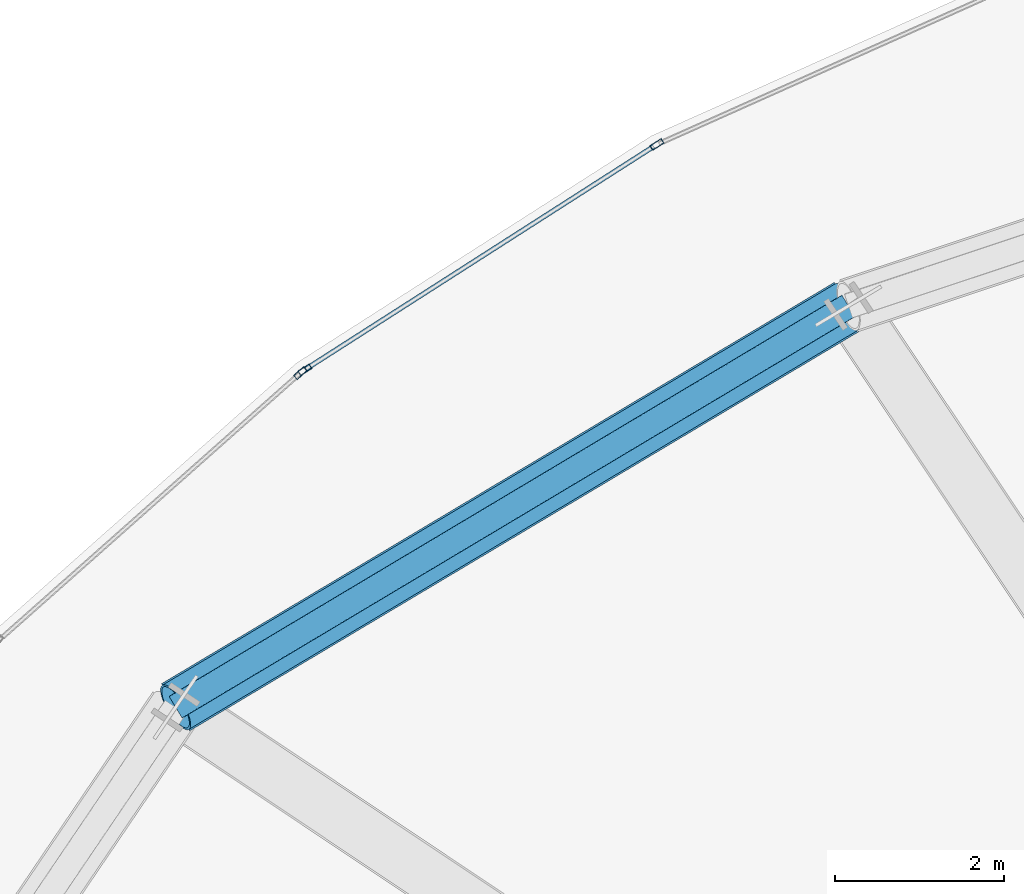
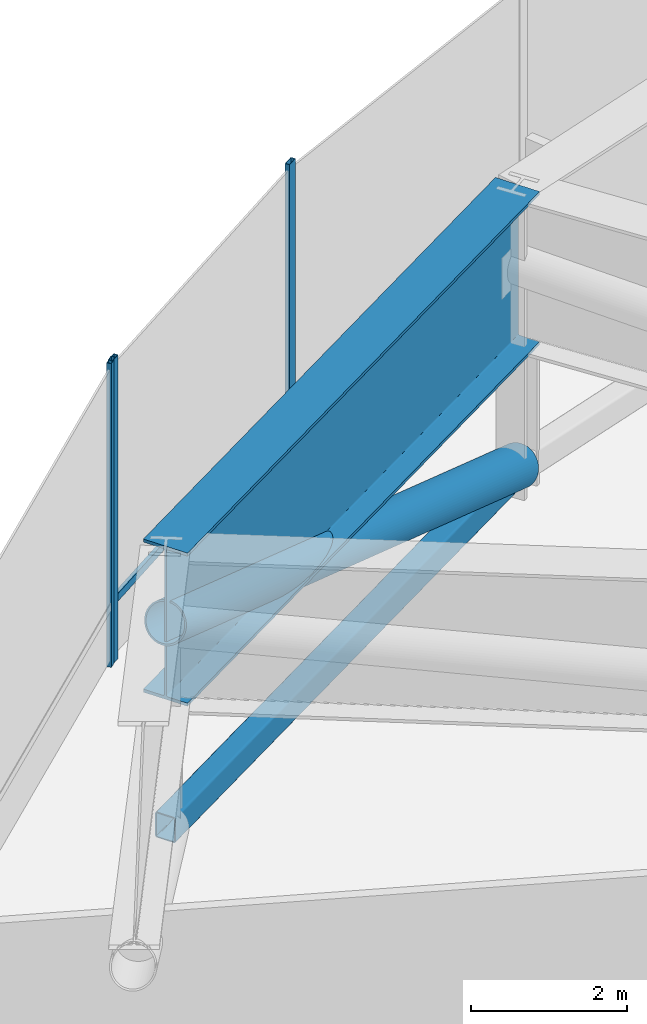
# One storey, part 18 of 33: 6 members, 1 beam, 2 elements without a shape of their own.
"""IFC4 building model written with IfcOpenShell, lengths in metres."""

from ifc_helpers import new_model, si_unit, direction, frame, origin, origin_2d, place, context, subcontext, project, spatial, hollow_rectangle, hollow_circle, i_section, extrude, source, transform, mapped, material, layer, layer_set, material_profile, profile_set, type_object, element, aggregate, save


model = new_model("IFC4")

# Units and contexts
model_context = context("Model", 3, precision=1e-05, world=origin(), true_north=direction((0.0, 1.0)))
body_context = subcontext(model_context, "Body", "Model", "MODEL_VIEW")
ifc_project = project(units=[si_unit("LENGTHUNIT", "METRE"), si_unit("AREAUNIT", "SQUARE_METRE"), si_unit("VOLUMEUNIT", "CUBIC_METRE"), si_unit("PLANEANGLEUNIT", "RADIAN"), si_unit("MASSUNIT", "GRAM", prefix="KILO"), si_unit("THERMODYNAMICTEMPERATUREUNIT", "KELVIN")], contexts=[model_context])

# Site, building, storey
site_placement = place(None, origin())
site = spatial("IfcSite", under=ifc_project, at=site_placement, CompositionType="ELEMENT")
building_placement = place(site_placement, origin())
building = spatial("IfcBuilding", under=site, at=building_placement, Name="Kethvar Cultural Tower", CompositionType="ELEMENT")
storey_placement = place(building_placement, frame((0.0, 0.0, 80.39990234375)))
storey = spatial("IfcBuildingStorey", under=building, at=storey_placement, Name="L19", CompositionType="ELEMENT", Elevation=80.39990234375)

# Beam
ifc_material_1 = material(Name="Steel S460M", Category="steel")
ifc_material_profile_1 = material_profile(ifc_material_1, i_section(OverallWidth=0.64990234375, OverallDepth=2.39990234375, WebThickness=0.030029296875, FlangeThickness=0.048095703125, FilletRadius=0.02197265625, at=origin_2d()), Name="Steel S460M — PG2400x650x48x30")
ifc_profile_set_1 = profile_set([ifc_material_profile_1], Name="Steel S460M — PG2400x650x48x30")
beam_type = type_object("IfcBeamType", Name="BM-TR2400", PredefinedType="BEAM", material=ifc_profile_set_1)
shared_shape_1 = source(origin(), body_context, "Body", "SweptSolid", [
    extrude(i_section(OverallWidth=0.64990234375, OverallDepth=2.39990234375, WebThickness=0.030029296875, FlangeThickness=0.048095703125, FilletRadius=0.02197265625, at=origin_2d()), origin(), (0.0, 0.0, 1.0), 9.270263671875),
])
beam_placement = place(storey_placement, frame((34.64599609375, 45.98974609375, 3.55810546875), z_axis=(-0.858814626354, -0.51228647997, 0.0), x_axis=(0.51228647997, -0.858814626354, 0.0)))
element("IfcBeam", 1, at=beam_placement, inside=storey, type_object=beam_type, Name="L19 Ring Belt Girder BG-06", PredefinedType="BEAM", context=body_context, shape_type="MappedRepresentation", body=[
    mapped(shared_shape_1, transform((0.0, 0.0, 0.0), scale=1.0)),
])

# Members
ifc_material_profile_2 = material_profile(ifc_material_1, hollow_rectangle(XDim=0.300048828125, YDim=0.39990234375, WallThickness=0.01611328125, InnerFilletRadius=0.01611328125, OuterFilletRadius=0.031982421875, at=origin_2d()), Name="Steel S460M — RHS400x300x16")
ifc_profile_set_2 = profile_set([ifc_material_profile_2], Name="Steel S460M — RHS400x300x16")
member_type_1 = type_object("IfcMemberType", Name="MB-CHD-400", PredefinedType="CHORD", material=ifc_profile_set_2)
shared_shape_2 = source(origin(), body_context, "Body", "SweptSolid", [
    extrude(hollow_rectangle(XDim=0.300048828125, YDim=0.39990234375, WallThickness=0.01611328125, InnerFilletRadius=0.01611328125, OuterFilletRadius=0.031982421875, at=origin_2d()), origin(), (0.0, 0.0, 1.0), 9.270263671875),
])
member_1_placement = place(storey_placement, frame((34.64599609375, 45.98974609375, 0.35009765625), z_axis=(-0.858814626354, -0.51228647997, 0.0), x_axis=(0.51228647997, -0.858814626354, 0.0)))
element("IfcMember", 2, at=member_1_placement, inside=storey, type_object=member_type_1, Name="L19 Ring Belt Bottom Chord BC-06", PredefinedType="CHORD", context=body_context, shape_type="MappedRepresentation", body=[
    mapped(shared_shape_2, transform((0.0, 0.0, 0.0), scale=1.0)),
])
ifc_material_profile_3 = material_profile(ifc_material_1, hollow_circle(Radius=0.304931640625, WallThickness=0.02490234375, at=origin_2d()), Name="Steel S460M — CHS610x25")
ifc_profile_set_3 = profile_set([ifc_material_profile_3], Name="Steel S460M — CHS610x25")
member_type_2 = type_object("IfcMemberType", Name="MB-OUT-610", PredefinedType="BRACE", material=ifc_profile_set_3)
shared_shape_3 = source(origin(), body_context, "Body", "SweptSolid", [
    extrude(hollow_circle(Radius=0.304931640625, WallThickness=0.02490234375, at=origin_2d()), origin(), (0.0, 0.0, 1.0), 9.8095703125),
])
member_2_placement = place(storey_placement, frame((34.64599609375, 45.98974609375, 0.35009765625), z_axis=(-0.811592882298, -0.484118514151, 0.327026386795), x_axis=(0.51228647997, -0.858814626354, 0.0)))
element("IfcMember", 3, at=member_2_placement, inside=storey, type_object=member_type_2, Name="L19 Ring Belt Diagonal BD-06", PredefinedType="BRACE", context=body_context, shape_type="MappedRepresentation", body=[
    mapped(shared_shape_3, transform((0.0, 0.0, 0.0), scale=1.0)),
])

# Curtain wall, members
ifc_material_2 = material(Name="Aluminium 6063-T6", Category="aluminium")
ifc_layer = layer(ifc_material_2, 0.179931640625, Name="Aluminium 6063-T6", Category="aluminium")
ifc_layer_set = layer_set([ifc_layer], Name="Aluminium 6063-T6 (180 mm)")
curtain_wall_type = type_object("IfcCurtainWallType", Name="CW-SYS-02-Z1", PredefinedType="NOTDEFINED", material=ifc_layer_set)
curtain_wall_1_placement = place(storey_placement, origin())
curtain_wall_1 = element("IfcCurtainWall", 4, at=curtain_wall_1_placement, inside=storey, type_object=curtain_wall_type, Name="L19 Curtain Wall Run 02", PredefinedType="NOTDEFINED")
ifc_material_profile_4 = material_profile(ifc_material_2, hollow_rectangle(XDim=0.06494140625, YDim=0.159912109375, WallThickness=0.0048828125, at=origin_2d()), Name="Aluminium 6063-T6 — RHS160x65x5")
ifc_profile_set_4 = profile_set([ifc_material_profile_4], Name="Aluminium 6063-T6 — RHS160x65x5")
member_type_3 = type_object("IfcMemberType", Name="CW-SYS-02-Z1-MUL", PredefinedType="MULLION", material=ifc_profile_set_4)
shared_shape_4 = source(origin(), body_context, "Body", "SweptSolid", [
    extrude(hollow_rectangle(XDim=0.06494140625, YDim=0.159912109375, WallThickness=0.0048828125, at=origin_2d()), origin(), (0.0, 0.0, 1.0), 4.760009765625),
])
member_3_placement = place(storey_placement, frame((32.37939453125, 47.9013671875, 0.0), z_axis=(0.0, 0.0, 1.0), x_axis=(0.539064823539, -0.842264279204, 0.0)))
member_3 = element("IfcMember", 5, at=member_3_placement, type_object=member_type_3, Name="CW-L19-R02 Mullion 6", PredefinedType="MULLION", context=body_context, shape_type="MappedRepresentation", body=[
    mapped(shared_shape_4, transform((0.0, 0.0, 0.0), scale=1.0)),
])
member_4_placement = place(storey_placement, frame((28.213623046875, 45.235107421875, 0.0), z_axis=(0.0, 0.0, 1.0), x_axis=(0.539064823539, -0.842264279204, 0.0)))
member_4 = element("IfcMember", 6, at=member_4_placement, type_object=member_type_3, Name="CW-L19-R02 Mullion 7", PredefinedType="MULLION", context=body_context, shape_type="MappedRepresentation", body=[
    mapped(shared_shape_4, transform((0.0, 0.0, 0.0), scale=1.0)),
])

# Curtain wall, member
curtain_wall_2_placement = place(storey_placement, origin())
curtain_wall_2 = element("IfcCurtainWall", 7, at=curtain_wall_2_placement, inside=storey, type_object=curtain_wall_type, Name="L19 Curtain Wall Run 03", PredefinedType="NOTDEFINED")
member_5_placement = place(storey_placement, frame((28.161376953125, 45.19580078125, 0.0), z_axis=(0.0, 0.0, 1.0), x_axis=(0.663338688694, -0.748319306233, 0.0)))
member_5 = element("IfcMember", 8, at=member_5_placement, type_object=member_type_3, Name="CW-L19-R03 Mullion 1", PredefinedType="MULLION", context=body_context, shape_type="MappedRepresentation", body=[
    mapped(shared_shape_4, transform((0.0, 0.0, 0.0), scale=1.0)),
])
aggregate(curtain_wall_2, [member_5])

# Member
ifc_material_profile_5 = material_profile(ifc_material_2, hollow_rectangle(XDim=0.054931640625, YDim=0.1201171875, WallThickness=0.00390625, at=origin_2d()), Name="Aluminium 6063-T6 — RHS120x55x4")
ifc_profile_set_5 = profile_set([ifc_material_profile_5], Name="Aluminium 6063-T6 — RHS120x55x4")
member_type_4 = type_object("IfcMemberType", Name="CW-SYS-02-Z1-TRN", PredefinedType="USERDEFINED", material=ifc_profile_set_5)
shared_shape_5 = source(origin(), body_context, "Body", "SweptSolid", [
    extrude(hollow_rectangle(XDim=0.054931640625, YDim=0.1201171875, WallThickness=0.00390625, at=origin_2d()), origin(), (0.0, 0.0, 1.0), 4.894775390625),
])
member_6_placement = place(storey_placement, frame((32.340087890625, 47.876220703125, 0.9501953125), z_axis=(-0.8422867996, -0.539029634824, 0.0), x_axis=(0.539029634824, -0.8422867996, 0.0)))
member_6 = element("IfcMember", 9, at=member_6_placement, type_object=member_type_4, Name="CW-L19-R02 Transom 6", ObjectType="TRANSOM", PredefinedType="USERDEFINED", context=body_context, shape_type="MappedRepresentation", body=[
    mapped(shared_shape_5, transform((0.0, 0.0, 0.0), scale=1.0)),
])

aggregate(curtain_wall_1, [member_3, member_4, member_6])

save(model, "model.ifc")
